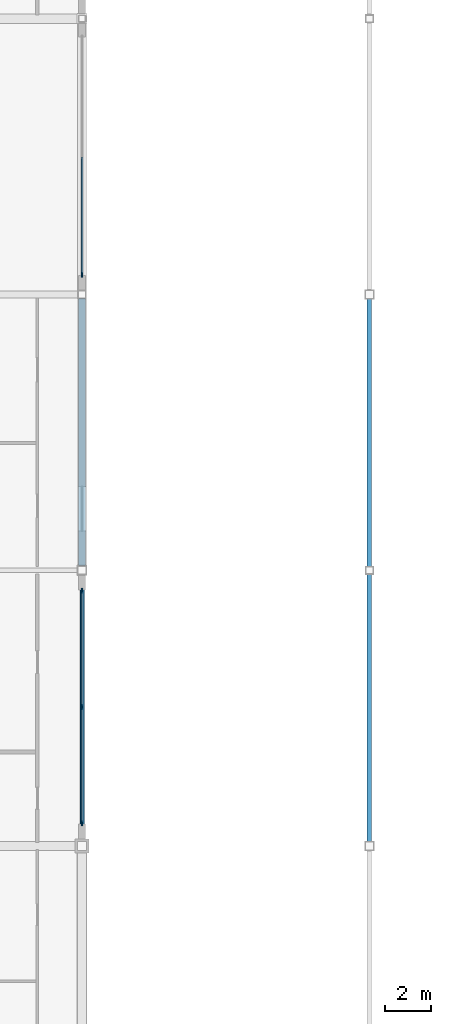
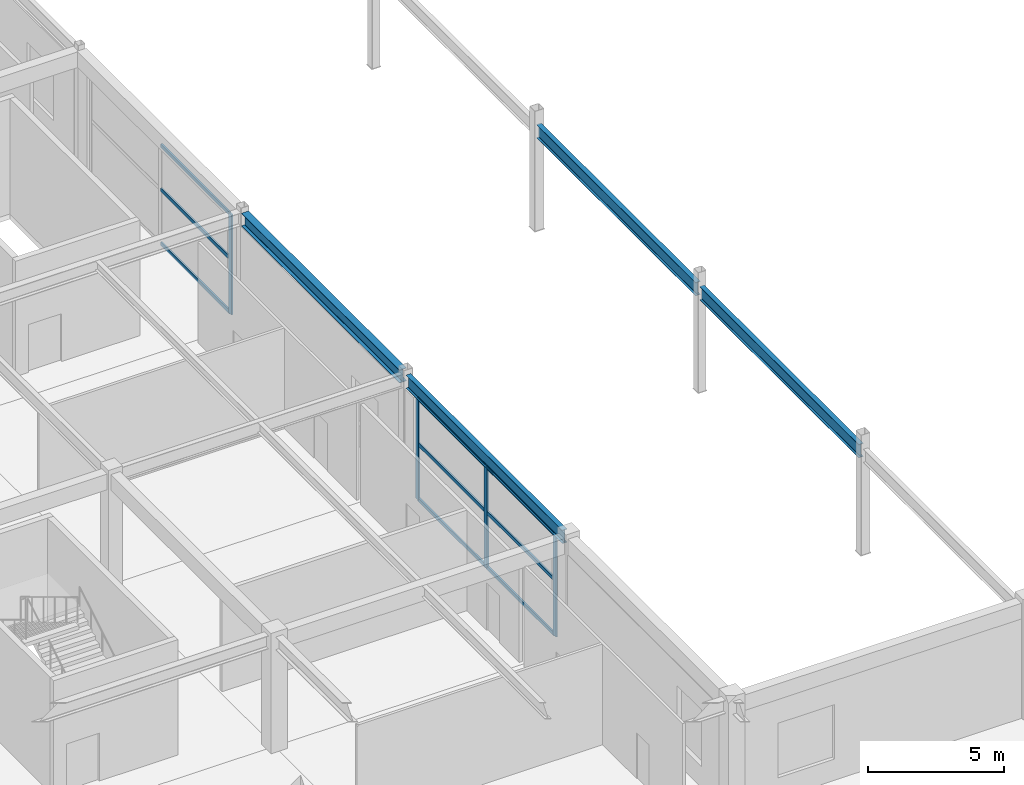
# One storey, part 31 of 105: 13 members, 4 beams, 2 elements without a shape of their own.
"""IFC4 building model written with IfcOpenShell, lengths in metres."""

from ifc_helpers import new_model, si_unit, direction, frame, origin, origin_2d, place, context, subcontext, project, spatial, rectangle, i_section, extrude, material, layer, layer_set, material_profile, profile_set, type_object, element, aggregate, save


model = new_model("IFC4")

# Units and contexts
model_context = context("Model", 3, precision=1e-05, world=origin(), true_north=direction((0.0, 1.0)))
body_context = subcontext(model_context, "Body", "Model", "MODEL_VIEW")
ifc_project = project(units=[si_unit("LENGTHUNIT", "METRE"), si_unit("AREAUNIT", "SQUARE_METRE"), si_unit("VOLUMEUNIT", "CUBIC_METRE"), si_unit("PLANEANGLEUNIT", "RADIAN"), si_unit("MASSUNIT", "GRAM", prefix="KILO")], contexts=[model_context])

# Site, building, storey
site_placement = place(None, origin())
site = spatial("IfcSite", under=ifc_project, at=site_placement, CompositionType="ELEMENT")
building_placement = place(site_placement, origin())
building = spatial("IfcBuilding", under=site, at=building_placement, Name="Kazenohara Klinker Stadium", CompositionType="ELEMENT")
storey_placement = place(building_placement, frame((0.0, 0.0, 20.39990234375)))
storey = spatial("IfcBuildingStorey", under=building, at=storey_placement, Name="L04", CompositionType="ELEMENT", Elevation=20.39990234375)

# Beams
ifc_material_1 = material(Name="Steel S355", Category="steel")
ifc_material_profile_1 = material_profile(ifc_material_1, i_section(OverallWidth=0.199951171875, OverallDepth=0.60009765625, WebThickness=0.010986328125, FlangeThickness=0.01708984375, FilletRadius=0.012939453125, at=origin_2d()), Name="H-600x200x11x17")
ifc_profile_set_1 = profile_set([ifc_material_profile_1], Name="Steel S355")
beam_type_1 = type_object("IfcBeamType", Name="BM-ST04", PredefinedType="BEAM", material=ifc_profile_set_1)
beam_1_placement = place(storey_placement, frame((36.5, 48.300048828125, 4.880126953125), z_axis=(0.0, 1.0, 0.0), x_axis=(-1.0, 0.0, 0.0)))
element("IfcBeam", 1, at=beam_1_placement, inside=storey, type_object=beam_type_1, Name="Primary girder SB04 L04 4/E-F", PredefinedType="BEAM", context=body_context, shape_type="SweptSolid", body=[
    extrude(i_section(OverallWidth=0.199951171875, OverallDepth=0.60009765625, WebThickness=0.010986328125, FlangeThickness=0.01708984375, FilletRadius=0.012939453125, at=origin_2d()), origin(), (0.0, 0.0, 1.0), 11.5),
])
for number, where, z_axis, x_axis, name in (
    (2, (49.0, 48.139892578125, 4.4501953125), (0.0, 1.0, 0.0), (-1.0, 0.0, 0.0), "Canopy tie girder SB04 L04 5/E"),
    (3, (49.0, 60.139892578125, 4.4501953125), (0.0, 1.0, 0.0), (-1.0, 0.0, 0.0), "Canopy tie girder SB04 L04 5/F"),
):
    element("IfcBeam", number, at=place(storey_placement, frame(where, z_axis=z_axis, x_axis=x_axis)), inside=storey, type_object=beam_type_1, Name=name, PredefinedType="BEAM", context=body_context, shape_type="SweptSolid", body=[
        extrude(i_section(OverallWidth=0.199951171875, OverallDepth=0.60009765625, WebThickness=0.010986328125, FlangeThickness=0.01708984375, FilletRadius=0.012939453125, at=origin_2d()), origin(), (0.0, 0.0, 1.0), 11.72021484375),
    ])
ifc_material_profile_2 = material_profile(ifc_material_1, i_section(OverallWidth=0.300048828125, OverallDepth=0.587890625, WebThickness=0.011962890625, FlangeThickness=0.02001953125, FilletRadius=0.02197265625, at=origin_2d()), Name="H-588x300x12x20")
ifc_profile_set_2 = profile_set([ifc_material_profile_2], Name="Steel S355")
beam_type_2 = type_object("IfcBeamType", Name="BM-ST05", PredefinedType="BEAM", material=ifc_profile_set_2)
beam_2_placement = place(storey_placement, frame((36.5, 60.199951171875, 4.885986328125), z_axis=(0.0, 1.0, 0.0), x_axis=(-1.0, 0.0, 0.0)))
element("IfcBeam", 4, at=beam_2_placement, inside=storey, type_object=beam_type_2, Name="Primary girder SB05 L04 4/F-G", PredefinedType="BEAM", context=body_context, shape_type="SweptSolid", body=[
    extrude(i_section(OverallWidth=0.300048828125, OverallDepth=0.587890625, WebThickness=0.011962890625, FlangeThickness=0.02001953125, FilletRadius=0.02197265625, at=origin_2d()), origin(), (0.0, 0.0, 1.0), 11.625),
])

# Curtain wall, members
ifc_material_2 = material(Name="Anodised aluminium and triple glazing", Category="aluminium")
ifc_layer_1 = layer(ifc_material_2, 0.199951171875)
ifc_layer_set_1 = layer_set([ifc_layer_1], Name="Anodised aluminium and triple glazing")
curtain_wall_type_1 = type_object("IfcCurtainWallType", Name="CW-SYS-03", PredefinedType="USERDEFINED", material=ifc_layer_set_1)
curtain_wall_1_placement = place(storey_placement, origin())
curtain_wall_1 = element("IfcCurtainWall", 5, at=curtain_wall_1_placement, inside=storey, type_object=curtain_wall_type_1, Name="Unitised facade curtain wall CW03 L04 Y3-4", ObjectType="UNITISED CURTAIN WALL", PredefinedType="USERDEFINED")
ifc_material_3 = material(Name="Anodised aluminium 6063-T6", Category="aluminium")
ifc_material_profile_3 = material_profile(ifc_material_3, rectangle(XDim=0.074951171875, YDim=0.219970703125, at=origin_2d()), Name="ALU-MUL-75x220")
ifc_profile_set_3 = profile_set([ifc_material_profile_3], Name="Anodised aluminium 6063-T6")
member_type_1 = type_object("IfcMemberType", Name="CW-MUL-220", PredefinedType="MULLION", material=ifc_profile_set_3)
member_1_placement = place(storey_placement, frame((36.5, 48.991455078125, 0.0), z_axis=(0.0, 0.0, 1.0), x_axis=(-1.0, 0.0, 0.0)))
member_1 = element("IfcMember", 6, at=member_1_placement, type_object=member_type_1, Name="CW03 mullion 1", PredefinedType="MULLION", context=body_context, shape_type="SweptSolid", body=[
    extrude(rectangle(XDim=0.074951171875, YDim=0.219970703125, at=origin_2d()), origin(), (0.0, 0.0, 1.0), 4.580078125),
])
member_2_placement = place(storey_placement, frame((36.5, 54.050048828125, 0.0), z_axis=(0.0, 0.0, 1.0), x_axis=(-1.0, 0.0, 0.0)))
member_2 = element("IfcMember", 7, at=member_2_placement, type_object=member_type_1, Name="CW03 mullion 2", PredefinedType="MULLION", context=body_context, shape_type="SweptSolid", body=[
    extrude(rectangle(XDim=0.074951171875, YDim=0.219970703125, at=origin_2d()), origin(), (0.0, 0.0, 1.0), 4.580078125),
])
member_3_placement = place(storey_placement, frame((36.5, 59.1083984375, 0.0), z_axis=(0.0, 0.0, 1.0), x_axis=(-1.0, 0.0, 0.0)))
member_3 = element("IfcMember", 8, at=member_3_placement, type_object=member_type_1, Name="CW03 mullion 3", PredefinedType="MULLION", context=body_context, shape_type="SweptSolid", body=[
    extrude(rectangle(XDim=0.074951171875, YDim=0.219970703125, at=origin_2d()), origin(), (0.0, 0.0, 1.0), 4.580078125),
])

# Curtain wall, member
ifc_layer_2 = layer(ifc_material_2, 0.169921875)
ifc_layer_set_2 = layer_set([ifc_layer_2], Name="Anodised aluminium and triple glazing")
curtain_wall_type_2 = type_object("IfcCurtainWallType", Name="CW-SYS-04", PredefinedType="USERDEFINED", material=ifc_layer_set_2)
curtain_wall_2_placement = place(storey_placement, origin())
curtain_wall_2 = element("IfcCurtainWall", 9, at=curtain_wall_2_placement, inside=storey, type_object=curtain_wall_type_2, Name="Unitised facade curtain wall CW04 L04 Y3-6", ObjectType="UNITISED CURTAIN WALL", PredefinedType="USERDEFINED")
member_4_placement = place(storey_placement, frame((36.5, 72.866455078125, 0.0), z_axis=(0.0, 0.0, 1.0), x_axis=(-1.0, 0.0, 0.0)))
member_4 = element("IfcMember", 10, at=member_4_placement, type_object=member_type_1, Name="CW04 mullion 1", PredefinedType="MULLION", context=body_context, shape_type="SweptSolid", body=[
    extrude(rectangle(XDim=0.074951171875, YDim=0.219970703125, at=origin_2d()), origin(), (0.0, 0.0, 1.0), 4.47998046875),
])

# Member
ifc_material_profile_4 = material_profile(ifc_material_3, rectangle(XDim=0.074951171875, YDim=0.159912109375, at=origin_2d()), Name="ALU-TRN-75x160")
ifc_profile_set_4 = profile_set([ifc_material_profile_4], Name="Anodised aluminium 6063-T6")
member_type_2 = type_object("IfcMemberType", Name="CW-TRN-160", PredefinedType="USERDEFINED", material=ifc_profile_set_4)
member_5_placement = place(storey_placement, frame((36.5, 49.029052734375, 0.03759765625), z_axis=(0.0, 1.0, 0.0), x_axis=(-1.0, 0.0, 0.0)))
member_5 = element("IfcMember", 11, at=member_5_placement, type_object=member_type_2, Name="CW03 transom 1.1", ObjectType="TRANSOM", PredefinedType="USERDEFINED", context=body_context, shape_type="SweptSolid", body=[
    extrude(rectangle(XDim=0.074951171875, YDim=0.159912109375, at=origin_2d()), origin(), (0.0, 0.0, 1.0), 4.9833984375),
])

member_6_placement = place(storey_placement, frame((36.5, 49.029052734375, 2.51904296875), z_axis=(0.0, 1.0, 0.0), x_axis=(-1.0, 0.0, 0.0)))
member_6 = element("IfcMember", 12, at=member_6_placement, type_object=member_type_2, Name="CW03 transom 1.2", ObjectType="TRANSOM", PredefinedType="USERDEFINED", context=body_context, shape_type="SweptSolid", body=[
    extrude(rectangle(XDim=0.074951171875, YDim=0.159912109375, at=origin_2d()), origin(), (0.0, 0.0, 1.0), 4.9833984375),
])

member_7_placement = place(storey_placement, frame((36.5, 49.029052734375, 4.54248046875), z_axis=(0.0, 1.0, 0.0), x_axis=(-1.0, 0.0, 0.0)))
member_7 = element("IfcMember", 13, at=member_7_placement, type_object=member_type_2, Name="CW03 transom 1.3", ObjectType="TRANSOM", PredefinedType="USERDEFINED", context=body_context, shape_type="SweptSolid", body=[
    extrude(rectangle(XDim=0.074951171875, YDim=0.159912109375, at=origin_2d()), origin(), (0.0, 0.0, 1.0), 4.9833984375),
])

member_8_placement = place(storey_placement, frame((36.5, 54.08740234375, 0.03759765625), z_axis=(0.0, 1.0, 0.0), x_axis=(-1.0, 0.0, 0.0)))
member_8 = element("IfcMember", 14, at=member_8_placement, type_object=member_type_2, Name="CW03 transom 2.1", ObjectType="TRANSOM", PredefinedType="USERDEFINED", context=body_context, shape_type="SweptSolid", body=[
    extrude(rectangle(XDim=0.074951171875, YDim=0.159912109375, at=origin_2d()), origin(), (0.0, 0.0, 1.0), 4.983642578125),
])

member_9_placement = place(storey_placement, frame((36.5, 54.08740234375, 2.51904296875), z_axis=(0.0, 1.0, 0.0), x_axis=(-1.0, 0.0, 0.0)))
member_9 = element("IfcMember", 15, at=member_9_placement, type_object=member_type_2, Name="CW03 transom 2.2", ObjectType="TRANSOM", PredefinedType="USERDEFINED", context=body_context, shape_type="SweptSolid", body=[
    extrude(rectangle(XDim=0.074951171875, YDim=0.159912109375, at=origin_2d()), origin(), (0.0, 0.0, 1.0), 4.983642578125),
])

member_10_placement = place(storey_placement, frame((36.5, 54.08740234375, 4.54248046875), z_axis=(0.0, 1.0, 0.0), x_axis=(-1.0, 0.0, 0.0)))
member_10 = element("IfcMember", 16, at=member_10_placement, type_object=member_type_2, Name="CW03 transom 2.3", ObjectType="TRANSOM", PredefinedType="USERDEFINED", context=body_context, shape_type="SweptSolid", body=[
    extrude(rectangle(XDim=0.074951171875, YDim=0.159912109375, at=origin_2d()), origin(), (0.0, 0.0, 1.0), 4.983642578125),
])

aggregate(curtain_wall_1, [member_1, member_2, member_3, member_5, member_6, member_7, member_8, member_9, member_10])

member_11_placement = place(storey_placement, frame((36.5, 72.904052734375, 0.03759765625), z_axis=(0.0, 1.0, 0.0), x_axis=(-1.0, 0.0, 0.0)))
member_11 = element("IfcMember", 17, at=member_11_placement, type_object=member_type_2, Name="CW04 transom 1.1", ObjectType="TRANSOM", PredefinedType="USERDEFINED", context=body_context, shape_type="SweptSolid", body=[
    extrude(rectangle(XDim=0.074951171875, YDim=0.159912109375, at=origin_2d()), origin(), (0.0, 0.0, 1.0), 5.071044921875),
])

member_12_placement = place(storey_placement, frame((36.5, 72.904052734375, 2.464111328125), z_axis=(0.0, 1.0, 0.0), x_axis=(-1.0, 0.0, 0.0)))
member_12 = element("IfcMember", 18, at=member_12_placement, type_object=member_type_2, Name="CW04 transom 1.2", ObjectType="TRANSOM", PredefinedType="USERDEFINED", context=body_context, shape_type="SweptSolid", body=[
    extrude(rectangle(XDim=0.074951171875, YDim=0.159912109375, at=origin_2d()), origin(), (0.0, 0.0, 1.0), 5.071044921875),
])

member_13_placement = place(storey_placement, frame((36.5, 72.904052734375, 4.442626953125), z_axis=(0.0, 1.0, 0.0), x_axis=(-1.0, 0.0, 0.0)))
member_13 = element("IfcMember", 19, at=member_13_placement, type_object=member_type_2, Name="CW04 transom 1.3", ObjectType="TRANSOM", PredefinedType="USERDEFINED", context=body_context, shape_type="SweptSolid", body=[
    extrude(rectangle(XDim=0.074951171875, YDim=0.159912109375, at=origin_2d()), origin(), (0.0, 0.0, 1.0), 5.071044921875),
])

aggregate(curtain_wall_2, [member_4, member_11, member_12, member_13])

save(model, "model.ifc")
